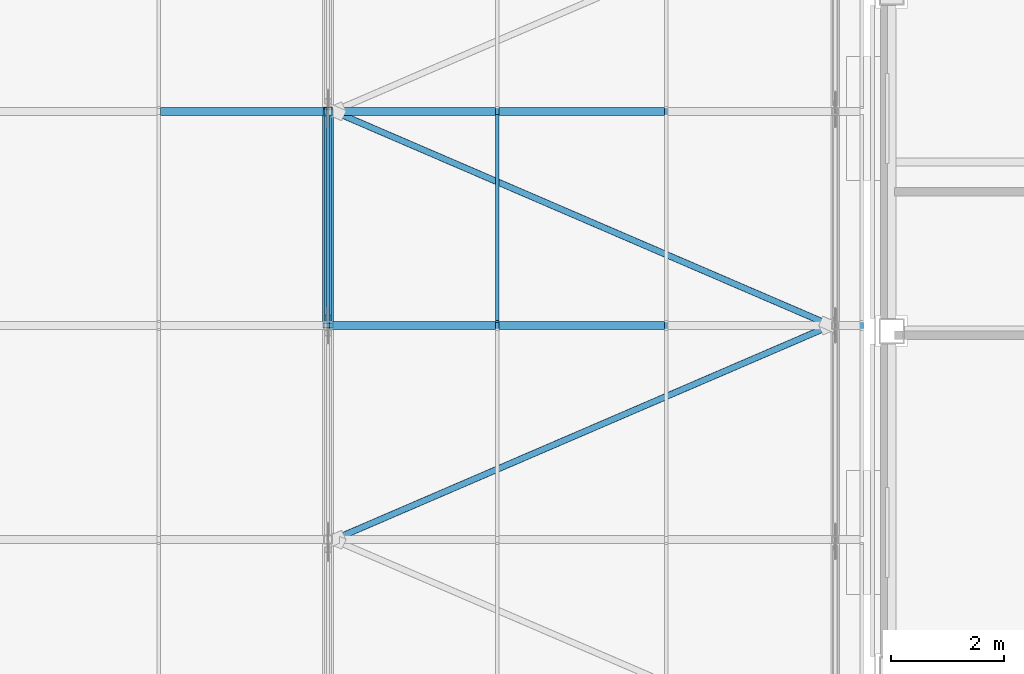
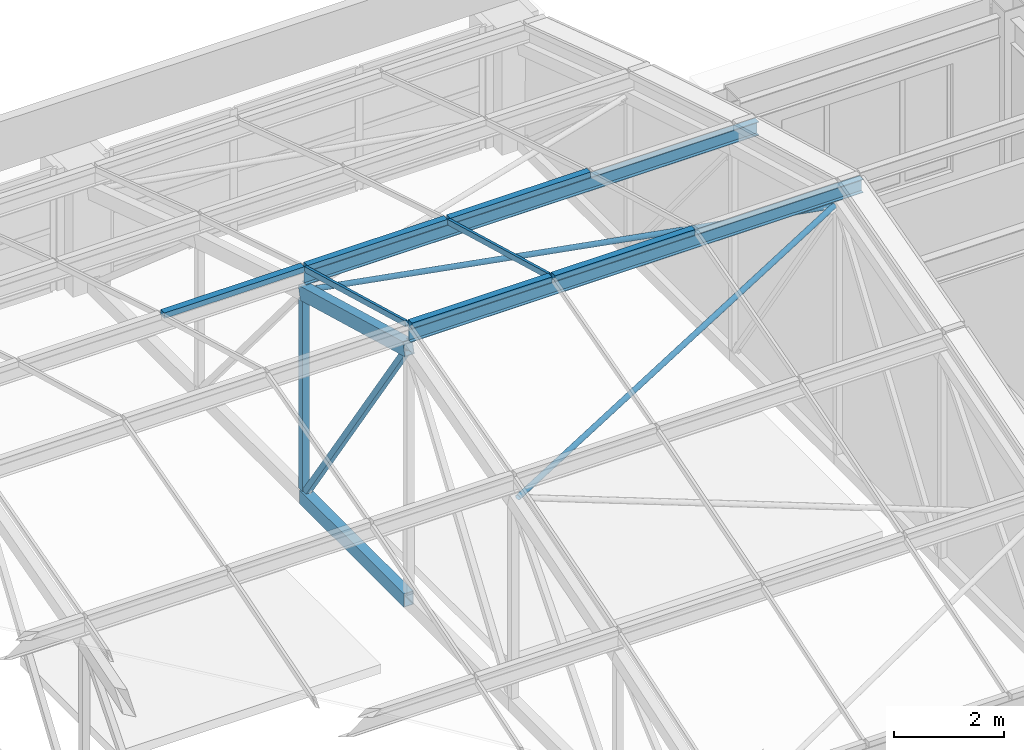
# One storey, part 36 of 82: 15 members, 1 element without a shape of its own.
"""IFC4 building model written with IfcOpenShell, lengths in metres."""

from ifc_helpers import new_model, si_unit, direction, frame, origin, origin_2d, place, context, subcontext, project, spatial, rectangle, hollow_rectangle, hollow_circle, i_section, extrude, material, material_profile, profile_set, type_object, element, aggregate, save


model = new_model("IFC4")

# Units and contexts
model_context = context("Model", 3, precision=1e-05, world=origin(), true_north=direction((0.0, 1.0)))
body_context = subcontext(model_context, "Body", "Model", "MODEL_VIEW")
ifc_project = project(units=[si_unit("LENGTHUNIT", "METRE"), si_unit("AREAUNIT", "SQUARE_METRE"), si_unit("VOLUMEUNIT", "CUBIC_METRE"), si_unit("PLANEANGLEUNIT", "RADIAN"), si_unit("MASSUNIT", "GRAM", prefix="KILO")], contexts=[model_context])

# Site, building, storey
site_placement = place(None, origin())
site = spatial("IfcSite", under=ifc_project, at=site_placement, CompositionType="ELEMENT")
building_placement = place(site_placement, origin())
building = spatial("IfcBuilding", under=site, at=building_placement, Name="Aravalli Gate Trade Fair Centre", CompositionType="ELEMENT")
storey_placement = place(building_placement, frame((0.0, 0.0, 19.199951171875)))
storey = spatial("IfcBuildingStorey", under=building, at=storey_placement, Name="L04", CompositionType="ELEMENT", Elevation=19.199951171875)

# Members
ifc_material_1 = material(Name="Steel E350", Category="steel")
ifc_material_profile_1 = material_profile(ifc_material_1, hollow_circle(Radius=0.05712890625, WallThickness=0.00439453125, at=origin_2d()), Name="CHS 114.3x4.5")
ifc_profile_set_1 = profile_set([ifc_material_profile_1], Name="Steel E350")
member_type_1 = type_object("IfcMemberType", Name="CHS 114.3x4.5 roof plan brace", PredefinedType="BRACE", material=ifc_profile_set_1)
member_1_placement = place(storey_placement, frame((150.10009765625, 117.300048828125, 4.674560546875), z_axis=(0.912765875151, 0.393039556442, 0.111258097378), x_axis=(-0.39549496899, 0.91846814289, 0.0)))
element("IfcMember", 1, at=member_1_placement, inside=storey, type_object=member_type_1, Name="Vault plan brace 18.3", PredefinedType="BRACE", context=body_context, shape_type="SweptSolid", body=[
    extrude(hollow_circle(Radius=0.05712890625, WallThickness=0.00439453125, at=origin_2d()), origin(), (0.0, 0.0, 1.0), 9.66845703125),
])
member_2_placement = place(storey_placement, frame((150.10009765625, 124.89990234375, 4.674560546875), z_axis=(0.912774934047, -0.393018205481, 0.111259201577), x_axis=(0.395473533837, 0.91847737263, 0.0)))
element("IfcMember", 2, at=member_2_placement, inside=storey, type_object=member_type_1, Name="Vault plan brace 18.4", PredefinedType="BRACE", context=body_context, shape_type="SweptSolid", body=[
    extrude(hollow_circle(Radius=0.05712890625, WallThickness=0.00439453125, at=origin_2d()), origin(), (0.0, 0.0, 1.0), 9.668212890625),
])
ifc_material_profile_2 = material_profile(ifc_material_1, i_section(OverallWidth=0.139892578125, OverallDepth=0.300048828125, WebThickness=0.0078125, FlangeThickness=0.01318359375, at=origin_2d()), Name="ISMB 300")
ifc_profile_set_2 = profile_set([ifc_material_profile_2], Name="Steel E350")
member_type_2 = type_object("IfcMemberType", Name="ISMB 300 roof purlin", PredefinedType="PURLIN", material=ifc_profile_set_2)
for number, where, z_axis, x_axis, name in (
    (3, (150.0, 121.10009765625, 6.030029296875), (1.0, 0.0, 0.0), (0.0, 1.0, 0.0), "Vault purlin 17-E F3"),
    (4, (150.0, 124.89990234375, 4.999267578125), (1.0, 0.0, 0.0), (0.0, 1.0, 0.0), "Vault purlin 17-E F4"),
):
    element("IfcMember", number, at=place(storey_placement, frame(where, z_axis=z_axis, x_axis=x_axis)), inside=storey, type_object=member_type_2, Name=name, PredefinedType="PURLIN", context=body_context, shape_type="SweptSolid", body=[
        extrude(i_section(OverallWidth=0.139892578125, OverallDepth=0.300048828125, WebThickness=0.0078125, FlangeThickness=0.01318359375, at=origin_2d()), origin(), (0.0, 0.0, 1.0), 9.5),
    ])
ifc_material_profile_3 = material_profile(ifc_material_1, hollow_rectangle(XDim=0.199951171875, YDim=0.300048828125, WallThickness=0.011962890625, at=origin_2d()), Name="RHS 300x200x12")
ifc_profile_set_3 = profile_set([ifc_material_profile_3], Name="Steel E350")
member_type_3 = type_object("IfcMemberType", Name="RHS 300x200x12 CT1 truss chord", PredefinedType="CHORD", material=ifc_profile_set_3)
member_3_placement = place(storey_placement, frame((150.0, 121.10009765625, 5.724365234375), z_axis=(0.0, 0.96388962469, -0.266302067988), x_axis=(-1.0, 0.0, 0.0)))
element("IfcMember", 5, at=member_3_placement, inside=storey, type_object=member_type_3, Name="Concourse vault truss CT1 line 17 top chord T4", PredefinedType="CHORD", context=body_context, shape_type="SweptSolid", body=[
    extrude(hollow_rectangle(XDim=0.199951171875, YDim=0.300048828125, WallThickness=0.011962890625, at=origin_2d()), origin(), (0.0, 0.0, 1.0), 3.942138671875),
])
member_4_placement = place(storey_placement, frame((150.0, 121.10009765625, 0.150146484375), z_axis=(0.0, 1.0, 0.0), x_axis=(-1.0, 0.0, 0.0)))
element("IfcMember", 6, at=member_4_placement, inside=storey, type_object=member_type_3, Name="Concourse vault truss CT1 line 17 bottom chord B4", PredefinedType="CHORD", context=body_context, shape_type="SweptSolid", body=[
    extrude(hollow_rectangle(XDim=0.199951171875, YDim=0.300048828125, WallThickness=0.011962890625, at=origin_2d()), origin(), (0.0, 0.0, 1.0), 3.7998046875),
])
ifc_material_profile_4 = material_profile(ifc_material_1, hollow_rectangle(XDim=0.125, YDim=0.125, WallThickness=0.006103515625, at=origin_2d()), Name="SHS 125x125x6")
ifc_profile_set_4 = profile_set([ifc_material_profile_4], Name="Steel E350")
member_type_4 = type_object("IfcMemberType", Name="SHS 125x125x6 CT1 truss diagonal", PredefinedType="BRACE", material=ifc_profile_set_4)
member_5_placement = place(storey_placement, frame((150.0, 121.230712890625, 5.53271484375), z_axis=(0.0, 0.5632471019, -0.826288510268), x_axis=(-1.0, 0.0, 0.0)))
element("IfcMember", 7, at=member_5_placement, inside=storey, type_object=member_type_4, Name="Concourse vault truss CT1 line 17 diagonal D4", PredefinedType="BRACE", context=body_context, shape_type="SweptSolid", body=[
    extrude(hollow_rectangle(XDim=0.125, YDim=0.125, WallThickness=0.006103515625, at=origin_2d()), origin(), (0.0, 0.0, 1.0), 6.332763671875),
])
ifc_material_profile_5 = material_profile(ifc_material_1, hollow_rectangle(XDim=0.14990234375, YDim=0.14990234375, WallThickness=0.006103515625, at=origin_2d()), Name="SHS 150x150x6")
ifc_profile_set_5 = profile_set([ifc_material_profile_5], Name="Steel E350")
member_type_5 = type_object("IfcMemberType", Name="SHS 150x150x6 CT1 truss post", PredefinedType="POST", material=ifc_profile_set_5)
member_6_placement = place(storey_placement, frame((150.0, 124.89990234375, 0.300048828125), z_axis=(0.0, 0.0, 1.0), x_axis=(1.0, 0.0, 0.0)))
element("IfcMember", 8, at=member_6_placement, inside=storey, type_object=member_type_5, Name="Concourse vault truss CT1 line 17 post V4", PredefinedType="POST", context=body_context, shape_type="SweptSolid", body=[
    extrude(hollow_rectangle(XDim=0.14990234375, YDim=0.14990234375, WallThickness=0.006103515625, at=origin_2d()), origin(), (0.0, 0.0, 1.0), 4.216552734375),
])
ifc_material_2 = material(Name="Aluminium", Category="aluminium")
ifc_material_profile_6 = material_profile(ifc_material_2, rectangle(XDim=0.139892578125, YDim=0.1201171875, at=origin_2d()), Name="Vault fold cap 140 x 120")
ifc_profile_set_6 = profile_set([ifc_material_profile_6], Name="Aluminium")
member_type_6 = type_object("IfcMemberType", Name="Vault fold cap 140 x 120", PredefinedType="USERDEFINED", material=ifc_profile_set_6)
for number, where, z_axis, x_axis, name in (
    (9, (147.030029296875, 124.89990234375, 5.209228515625), (1.0, 0.0, 0.0), (0.0, 1.0, 0.0), "Vault fold cap e16.4"),
    (10, (150.030029296875, 121.10009765625, 6.239990234375), (1.0, 0.0, 0.0), (0.0, 1.0, 0.0), "Vault fold cap e17.3"),
    (11, (150.030029296875, 124.89990234375, 5.209228515625), (1.0, 0.0, 0.0), (0.0, 1.0, 0.0), "Vault fold cap e17.4"),
    (12, (153.030029296875, 121.10009765625, 6.239990234375), (1.0, 0.0, 0.0), (0.0, 1.0, 0.0), "Vault fold cap e18.3"),
    (13, (153.030029296875, 124.89990234375, 5.209228515625), (1.0, 0.0, 0.0), (0.0, 1.0, 0.0), "Vault fold cap e18.4"),
):
    element("IfcMember", number, at=place(storey_placement, frame(where, z_axis=z_axis, x_axis=x_axis)), inside=storey, type_object=member_type_6, Name=name, ObjectType="FOLD CAP", PredefinedType="USERDEFINED", context=body_context, shape_type="SweptSolid", body=[
        extrude(rectangle(XDim=0.139892578125, YDim=0.1201171875, at=origin_2d()), origin(), (0.0, 0.0, 1.0), 2.93994140625),
    ])

# Curtain wall, members
ifc_material_3 = material(Name="Aluminium and glass", Category="aluminium")
curtain_wall_type = type_object("IfcCurtainWallType", Name="Vault curtain wall, sloped glazing", PredefinedType="NOTDEFINED", material=ifc_material_3)
curtain_wall_placement = place(storey_placement, origin())
curtain_wall = element("IfcCurtainWall", 14, at=curtain_wall_placement, inside=storey, type_object=curtain_wall_type, Name="Vault curtain wall e", PredefinedType="NOTDEFINED")
ifc_material_profile_7 = material_profile(ifc_material_2, rectangle(XDim=0.06005859375, YDim=0.1201171875, at=origin_2d()), Name="Vault glazing bar 60 x 120")
ifc_profile_set_7 = profile_set([ifc_material_profile_7], Name="Aluminium")
member_type_7 = type_object("IfcMemberType", Name="Vault glazing bar 60 x 120", PredefinedType="USERDEFINED", material=ifc_profile_set_7)
member_7_placement = place(storey_placement, frame((150.0, 121.169921875, 6.218505859375), z_axis=(0.0, 0.963872602318, -0.266363673386), x_axis=(-1.0, 0.0, 0.0)))
member_7 = element("IfcMember", 15, at=member_7_placement, type_object=member_type_7, Name="Vault glazing bar e17.4", ObjectType="GLAZING BAR", PredefinedType="USERDEFINED", context=body_context, shape_type="SweptSolid", body=[
    extrude(rectangle(XDim=0.06005859375, YDim=0.1201171875, at=origin_2d()), origin(), (0.0, 0.0, 1.0), 3.79736328125),
])
member_8_placement = place(storey_placement, frame((153.0, 121.169921875, 6.218505859375), z_axis=(0.0, 0.963872602318, -0.266363673386), x_axis=(-1.0, 0.0, 0.0)))
member_8 = element("IfcMember", 16, at=member_8_placement, type_object=member_type_7, Name="Vault glazing bar e18.4", ObjectType="GLAZING BAR", PredefinedType="USERDEFINED", context=body_context, shape_type="SweptSolid", body=[
    extrude(rectangle(XDim=0.06005859375, YDim=0.1201171875, at=origin_2d()), origin(), (0.0, 0.0, 1.0), 3.79736328125),
])
aggregate(curtain_wall, [member_7, member_8])

save(model, "model.ifc")
